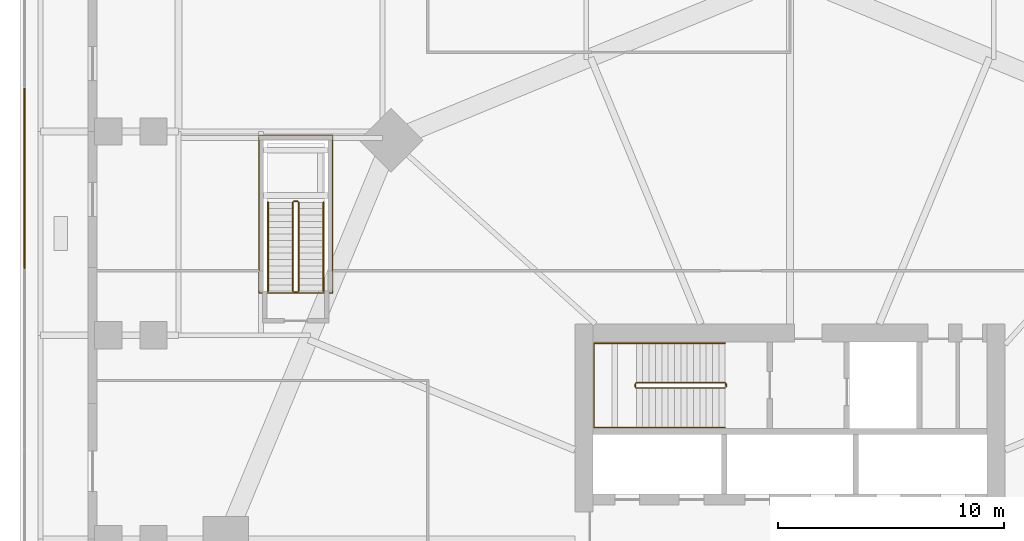
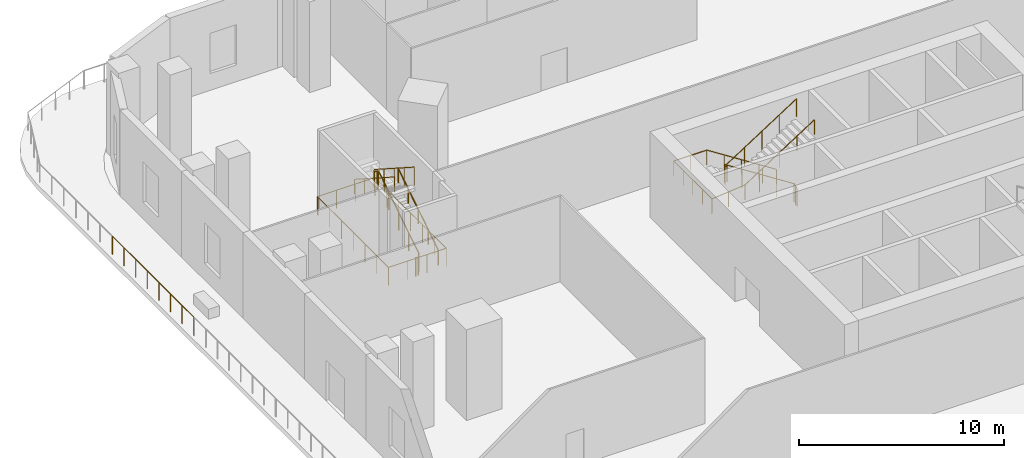
# One storey, part 14 of 19: 10 railings.
"""IFC4 building model written with IfcOpenShell, lengths in metres."""

from ifc_helpers import new_model, si_unit, direction, frame, origin, origin_2d, place, context, subcontext, project, spatial, circle, extrude, material, type_object, element, save


model = new_model("IFC4")

# Units and contexts
model_context = context("Model", 3, precision=1e-05, world=origin(), true_north=direction((0.0, 1.0)))
body_context = subcontext(model_context, "Body", "Model", "MODEL_VIEW")
ifc_project = project(units=[si_unit("LENGTHUNIT", "METRE"), si_unit("AREAUNIT", "SQUARE_METRE"), si_unit("VOLUMEUNIT", "CUBIC_METRE"), si_unit("PLANEANGLEUNIT", "RADIAN"), si_unit("MASSUNIT", "GRAM", prefix="KILO")], contexts=[model_context])

# Site, building, storey
site_placement = place(None, origin())
site = spatial("IfcSite", under=ifc_project, at=site_placement, CompositionType="ELEMENT")
building_placement = place(site_placement, origin())
building = spatial("IfcBuilding", under=site, at=building_placement, Name="Ogive Gate Towers", CompositionType="ELEMENT")
storey_placement = place(building_placement, frame((0.0, 0.0, 12.60009765625)))
storey = spatial("IfcBuildingStorey", under=building, at=storey_placement, Name="L02", CompositionType="ELEMENT", Elevation=12.60009765625)

# Railings
ifc_material_1 = material(Name="Stainless steel", Category="steel")
railing_type_1 = type_object("IfcRailingType", Name="Guard 1100", PredefinedType="GUARDRAIL", material=ifc_material_1)
railing_1_placement = place(storey_placement, frame((-69.800048828125, 19.897705078125, 0.0)))
element("IfcRailing", 1, at=railing_1_placement, inside=storey, type_object=railing_type_1, Name="Terrace guard", PredefinedType="GUARDRAIL", context=body_context, shape_type="SweptSolid", body=[
    extrude(circle(Radius=0.02392578125, at=origin_2d()), frame((0.0, 0.0, 1.076171875), z_axis=(0.0, -1.0, 0.0), x_axis=(1.0, 0.0, 0.0)), (0.0, 0.0, 1.0), 7.940185546875),
    extrude(circle(Radius=0.02099609375, at=origin_2d()), origin(), (0.0, 0.0, 1.0), 1.052001953125),
    extrude(circle(Radius=0.02099609375, at=origin_2d()), frame((0.0, -1.13427734375, 0.0)), (0.0, 0.0, 1.0), 1.052001953125),
    extrude(circle(Radius=0.02099609375, at=origin_2d()), frame((0.0, -2.2685546875, 0.0)), (0.0, 0.0, 1.0), 1.052001953125),
    extrude(circle(Radius=0.02099609375, at=origin_2d()), frame((0.0, -3.40283203125, 0.0)), (0.0, 0.0, 1.0), 1.052001953125),
    extrude(circle(Radius=0.02099609375, at=origin_2d()), frame((0.0, -4.537353515625, 0.0)), (0.0, 0.0, 1.0), 1.052001953125),
    extrude(circle(Radius=0.02099609375, at=origin_2d()), frame((0.0, -5.671630859375, 0.0)), (0.0, 0.0, 1.0), 1.052001953125),
    extrude(circle(Radius=0.02099609375, at=origin_2d()), frame((0.0, -6.805908203125, 0.0)), (0.0, 0.0, 1.0), 1.052001953125),
    extrude(circle(Radius=0.02099609375, at=origin_2d()), frame((0.0, -7.940185546875, 0.0)), (0.0, 0.0, 1.0), 1.052001953125),
])
ifc_material_2 = material(Name="Steel and glass guard", Category="steel")
railing_type_2 = type_object("IfcRailingType", Name="Podium stair guard 1100", PredefinedType="GUARDRAIL", material=ifc_material_2)
railing_2_placement = place(storey_placement, frame((-57.699951171875, 10.949951171875, 0.179931640625)))
element("IfcRailing", 2, at=railing_2_placement, inside=storey, type_object=railing_type_2, Name="L02 PS1 stair guard 1", PredefinedType="GUARDRAIL", context=body_context, shape_type="SweptSolid", body=[
    extrude(circle(Radius=0.02392578125, at=origin_2d()), frame((0.0, 0.0, 1.076171875), z_axis=(0.0, 0.841186985886, 0.540744352514), x_axis=(-1.0, 0.0, 0.0)), (0.0, 0.0, 1.0), 4.660400390625),
    extrude(circle(Radius=0.02099609375, at=origin_2d()), origin(), (0.0, 0.0, 1.0), 1.052001953125),
    extrude(circle(Radius=0.02099609375, at=origin_2d()), frame((0.0, 0.97998046875, 0.6298828125)), (0.0, 0.0, 1.0), 1.052001953125),
    extrude(circle(Radius=0.02099609375, at=origin_2d()), frame((0.0, 1.9599609375, 1.260009765625)), (0.0, 0.0, 1.0), 1.052001953125),
    extrude(circle(Radius=0.02099609375, at=origin_2d()), frame((0.0, 2.940185546875, 1.89013671875)), (0.0, 0.0, 1.0), 1.052001953125),
    extrude(circle(Radius=0.02099609375, at=origin_2d()), frame((0.0, 3.920166015625, 2.52001953125)), (0.0, 0.0, 1.0), 1.052001953125),
])
railing_3_placement = place(storey_placement, frame((-57.75, 14.919921875, 2.699951171875)))
element("IfcRailing", 3, at=railing_3_placement, inside=storey, type_object=railing_type_2, Name="L02 PS1 stair guard 2", PredefinedType="GUARDRAIL", context=body_context, shape_type="SweptSolid", body=[
    extrude(circle(Radius=0.02392578125, at=origin_2d()), frame((0.0, 0.0, 1.076171875), z_axis=(-1.0, 0.0, 0.0), x_axis=(0.0, -1.0, 0.0)), (0.0, 0.0, 1.0), 0.14990234375),
    extrude(circle(Radius=0.02099609375, at=origin_2d()), origin(), (0.0, 0.0, 1.0), 1.052001953125),
    extrude(circle(Radius=0.02099609375, at=origin_2d()), frame((-0.14990234375, 0.0, 0.0)), (0.0, 0.0, 1.0), 1.052001953125),
])
railing_4_placement = place(storey_placement, frame((-57.949951171875, 14.8701171875, 2.8798828125)))
element("IfcRailing", 4, at=railing_4_placement, inside=storey, type_object=railing_type_2, Name="L02 PS1 stair guard 3", PredefinedType="GUARDRAIL", context=body_context, shape_type="SweptSolid", body=[
    extrude(circle(Radius=0.02392578125, at=origin_2d()), frame((0.0, 0.0, 1.076171875), z_axis=(0.0, -0.841186985886, 0.540744352514), x_axis=(1.0, 0.0, 0.0)), (0.0, 0.0, 1.0), 4.660400390625),
    extrude(circle(Radius=0.02099609375, at=origin_2d()), origin(), (0.0, 0.0, 1.0), 1.052001953125),
    extrude(circle(Radius=0.02099609375, at=origin_2d()), frame((0.0, -0.97998046875, 0.6298828125)), (0.0, 0.0, 1.0), 1.052001953125),
    extrude(circle(Radius=0.02099609375, at=origin_2d()), frame((0.0, -1.9599609375, 1.260009765625)), (0.0, 0.0, 1.0), 1.052001953125),
    extrude(circle(Radius=0.02099609375, at=origin_2d()), frame((0.0, -2.940185546875, 1.89013671875)), (0.0, 0.0, 1.0), 1.052001953125),
    extrude(circle(Radius=0.02099609375, at=origin_2d()), frame((0.0, -3.920166015625, 2.52001953125)), (0.0, 0.0, 1.0), 1.052001953125),
])
railing_5_placement = place(storey_placement, frame((-57.75, 10.89990234375, 0.0)))
element("IfcRailing", 5, at=railing_5_placement, inside=storey, type_object=railing_type_2, Name="L02 PS1 stair guard 4", PredefinedType="GUARDRAIL", context=body_context, shape_type="SweptSolid", body=[
    extrude(circle(Radius=0.02392578125, at=origin_2d()), frame((0.0, 0.0, 1.076171875), z_axis=(-1.0, 0.0, 0.0), x_axis=(0.0, -1.0, 0.0)), (0.0, 0.0, 1.0), 0.14990234375),
    extrude(circle(Radius=0.02099609375, at=origin_2d()), origin(), (0.0, 0.0, 1.0), 1.052001953125),
    extrude(circle(Radius=0.02099609375, at=origin_2d()), frame((-0.14990234375, 0.0, 0.0)), (0.0, 0.0, 1.0), 1.052001953125),
])
ifc_material_3 = material(Name="Stainless steel handrail", Category="steel")
railing_type_3 = type_object("IfcRailingType", Name="Podium stair handrail 900", PredefinedType="HANDRAIL", material=ifc_material_3)
railing_6_placement = place(storey_placement, frame((-56.60009765625, 10.949951171875, 0.179931640625)))
element("IfcRailing", 6, at=railing_6_placement, inside=storey, type_object=railing_type_3, Name="L02 PS1 stair handrail 1", PredefinedType="HANDRAIL", context=body_context, shape_type="SweptSolid", body=[
    extrude(circle(Radius=0.02392578125, at=origin_2d()), frame((0.0, 0.0, 0.8759765625), z_axis=(0.0, 0.841186985886, 0.540744352514), x_axis=(-1.0, 0.0, 0.0)), (0.0, 0.0, 1.0), 4.660400390625),
    extrude(circle(Radius=0.02099609375, at=origin_2d()), origin(), (0.0, 0.0, 1.0), 0.851806640625),
    extrude(circle(Radius=0.02099609375, at=origin_2d()), frame((0.0, 0.97998046875, 0.6298828125)), (0.0, 0.0, 1.0), 0.851806640625),
    extrude(circle(Radius=0.02099609375, at=origin_2d()), frame((0.0, 1.9599609375, 1.260009765625)), (0.0, 0.0, 1.0), 0.851806640625),
    extrude(circle(Radius=0.02099609375, at=origin_2d()), frame((0.0, 2.940185546875, 1.89013671875)), (0.0, 0.0, 1.0), 0.851806640625),
    extrude(circle(Radius=0.02099609375, at=origin_2d()), frame((0.0, 3.920166015625, 2.52001953125)), (0.0, 0.0, 1.0), 0.851806640625),
])
railing_7_placement = place(storey_placement, frame((-59.050048828125, 14.8701171875, 2.8798828125)))
element("IfcRailing", 7, at=railing_7_placement, inside=storey, type_object=railing_type_3, Name="L02 PS1 stair handrail 2", PredefinedType="HANDRAIL", context=body_context, shape_type="SweptSolid", body=[
    extrude(circle(Radius=0.02392578125, at=origin_2d()), frame((0.0, 0.0, 0.8759765625), z_axis=(0.0, -0.841186985886, 0.540744352514), x_axis=(1.0, 0.0, 0.0)), (0.0, 0.0, 1.0), 4.660400390625),
    extrude(circle(Radius=0.02099609375, at=origin_2d()), origin(), (0.0, 0.0, 1.0), 0.851806640625),
    extrude(circle(Radius=0.02099609375, at=origin_2d()), frame((0.0, -0.97998046875, 0.6298828125)), (0.0, 0.0, 1.0), 0.851806640625),
    extrude(circle(Radius=0.02099609375, at=origin_2d()), frame((0.0, -1.9599609375, 1.260009765625)), (0.0, 0.0, 1.0), 0.851806640625),
    extrude(circle(Radius=0.02099609375, at=origin_2d()), frame((0.0, -2.940185546875, 1.89013671875)), (0.0, 0.0, 1.0), 0.851806640625),
    extrude(circle(Radius=0.02099609375, at=origin_2d()), frame((0.0, -3.920166015625, 2.52001953125)), (0.0, 0.0, 1.0), 0.851806640625),
])
railing_type_4 = type_object("IfcRailingType", Name="Stair guard 1100", PredefinedType="GUARDRAIL", material=ifc_material_1)
railing_8_placement = place(storey_placement, frame((-38.81494140625, 6.860107421875, 0.0)))
element("IfcRailing", 8, at=railing_8_placement, inside=storey, type_object=railing_type_4, Name="L02 ST1 stair guard 1", PredefinedType="GUARDRAIL", context=body_context, shape_type="SweptSolid", body=[
    extrude(circle(Radius=0.02392578125, at=origin_2d()), frame((0.0, 0.0, 1.076171875), z_axis=(0.0, -1.0, 0.0), x_axis=(1.0, 0.0, 0.0)), (0.0, 0.0, 1.0), 0.14501953125),
    extrude(circle(Radius=0.02392578125, at=origin_2d()), frame((0.0, -0.14501953125, 1.076171875), z_axis=(-0.185446488196, 0.721884378442, 0.666702740491), x_axis=(-0.968551454522, -0.24881334358, 0.0)), (0.0, 0.0, 1.0), 0.269775390625),
    extrude(circle(Radius=0.02392578125, at=origin_2d()), frame((-0.050048828125, 0.0498046875, 1.255859375), z_axis=(-0.841171666519, 0.0, 0.540768182723), x_axis=(0.0, -1.0, 0.0)), (0.0, 0.0, 1.0), 4.66015625),
    extrude(circle(Radius=0.02392578125, at=origin_2d()), frame((-3.969970703125, 0.0498046875, 3.77587890625), z_axis=(-0.708833529934, -0.705375805398, 0.0), x_axis=(0.705375805398, -0.708833529934, 0.0)), (0.0, 0.0, 1.0), 0.070556640625),
    extrude(circle(Radius=0.02392578125, at=origin_2d()), frame((-4.02001953125, 0.0, 3.77587890625), z_axis=(0.0, -1.0, 0.0), x_axis=(1.0, 0.0, 0.0)), (0.0, 0.0, 1.0), 0.14501953125),
    extrude(circle(Radius=0.02392578125, at=origin_2d()), frame((-4.02001953125, -0.14501953125, 3.77587890625), z_axis=(0.258847668887, -0.258847668887, 0.930588936439), x_axis=(0.707106781187, 0.707106781187, 0.0)), (0.0, 0.0, 1.0), 0.193359375),
    extrude(circle(Radius=0.02392578125, at=origin_2d()), frame((-3.969970703125, -0.195068359375, 3.9560546875), z_axis=(0.841171666519, 0.0, 0.540768182723), x_axis=(0.0, 1.0, 0.0)), (0.0, 0.0, 1.0), 4.66015625),
    extrude(circle(Radius=0.02099609375, at=origin_2d()), origin(), (0.0, 0.0, 1.0), 1.052001953125),
    extrude(circle(Radius=0.02099609375, at=origin_2d()), frame((0.0, -0.14501953125, 0.0)), (0.0, 0.0, 1.0), 1.052001953125),
    extrude(circle(Radius=0.02099609375, at=origin_2d()), frame((-0.050048828125, 0.0498046875, 0.179931640625)), (0.0, 0.0, 1.0), 1.052001953125),
    extrude(circle(Radius=0.02099609375, at=origin_2d()), frame((-1.030029296875, 0.0498046875, 0.81005859375)), (0.0, 0.0, 1.0), 1.052001953125),
    extrude(circle(Radius=0.02099609375, at=origin_2d()), frame((-2.010009765625, 0.0498046875, 1.43994140625)), (0.0, 0.0, 1.0), 1.052001953125),
    extrude(circle(Radius=0.02099609375, at=origin_2d()), frame((-2.989990234375, 0.0498046875, 2.06982421875)), (0.0, 0.0, 1.0), 1.052001953125),
    extrude(circle(Radius=0.02099609375, at=origin_2d()), frame((-3.969970703125, 0.0498046875, 2.699951171875)), (0.0, 0.0, 1.0), 1.052001953125),
    extrude(circle(Radius=0.02099609375, at=origin_2d()), frame((-4.02001953125, 0.0, 2.699951171875)), (0.0, 0.0, 1.0), 1.052001953125),
    extrude(circle(Radius=0.02099609375, at=origin_2d()), frame((-4.02001953125, -0.14501953125, 2.699951171875)), (0.0, 0.0, 1.0), 1.052001953125),
    extrude(circle(Radius=0.02099609375, at=origin_2d()), frame((-3.969970703125, -0.195068359375, 2.8798828125)), (0.0, 0.0, 1.0), 1.052001953125),
    extrude(circle(Radius=0.02099609375, at=origin_2d()), frame((-2.989990234375, -0.195068359375, 3.509765625)), (0.0, 0.0, 1.0), 1.052001953125),
    extrude(circle(Radius=0.02099609375, at=origin_2d()), frame((-2.010009765625, -0.195068359375, 4.139892578125)), (0.0, 0.0, 1.0), 1.052001953125),
    extrude(circle(Radius=0.02099609375, at=origin_2d()), frame((-1.030029296875, -0.195068359375, 4.77001953125)), (0.0, 0.0, 1.0), 1.052001953125),
    extrude(circle(Radius=0.02099609375, at=origin_2d()), frame((-0.050048828125, -0.195068359375, 5.39990234375)), (0.0, 0.0, 1.0), 1.052001953125),
])
railing_type_5 = type_object("IfcRailingType", Name="Stair handrail 900", PredefinedType="HANDRAIL", material=ifc_material_1)
railing_9_placement = place(storey_placement, frame((-38.864990234375, 8.64990234375, 0.179931640625)))
element("IfcRailing", 9, at=railing_9_placement, inside=storey, type_object=railing_type_5, Name="L02 ST1 stair handrail 1", PredefinedType="HANDRAIL", context=body_context, shape_type="SweptSolid", body=[
    extrude(circle(Radius=0.02392578125, at=origin_2d()), frame((0.0, 0.0, 0.8759765625), z_axis=(-0.841171666519, 0.0, 0.540768182723), x_axis=(0.0, -1.0, 0.0)), (0.0, 0.0, 1.0), 4.66015625),
    extrude(circle(Radius=0.02392578125, at=origin_2d()), frame((-3.919921875, 0.0, 3.39599609375), z_axis=(-1.0, 0.0, 0.0), x_axis=(0.0, -1.0, 0.0)), (0.0, 0.0, 1.0), 1.864990234375),
    extrude(circle(Radius=0.02392578125, at=origin_2d()), frame((-5.784912109375, 0.0, 3.39599609375), z_axis=(0.0, -1.0, 0.0), x_axis=(1.0, 0.0, 0.0)), (0.0, 0.0, 1.0), 3.724853515625),
    extrude(circle(Radius=0.02392578125, at=origin_2d()), frame((-5.784912109375, -3.724853515625, 3.39599609375), z_axis=(0.995378180616, 0.0, 0.096032690027), x_axis=(0.0, 1.0, 0.0)), (0.0, 0.0, 1.0), 1.87353515625),
    extrude(circle(Radius=0.02392578125, at=origin_2d()), frame((-3.919921875, -3.724853515625, 3.57568359375), z_axis=(0.841171666519, 0.0, 0.540768182723), x_axis=(0.0, 1.0, 0.0)), (0.0, 0.0, 1.0), 4.66015625),
    extrude(circle(Radius=0.02099609375, at=origin_2d()), origin(), (0.0, 0.0, 1.0), 0.851806640625),
    extrude(circle(Radius=0.02099609375, at=origin_2d()), frame((-0.97998046875, 0.0, 0.6298828125)), (0.0, 0.0, 1.0), 0.851806640625),
    extrude(circle(Radius=0.02099609375, at=origin_2d()), frame((-1.9599609375, 0.0, 1.260009765625)), (0.0, 0.0, 1.0), 0.851806640625),
    extrude(circle(Radius=0.02099609375, at=origin_2d()), frame((-2.93994140625, 0.0, 1.89013671875)), (0.0, 0.0, 1.0), 0.851806640625),
    extrude(circle(Radius=0.02099609375, at=origin_2d()), frame((-3.919921875, 0.0, 2.52001953125)), (0.0, 0.0, 1.0), 0.851806640625),
    extrude(circle(Radius=0.02099609375, at=origin_2d()), frame((-4.8525390625, 0.0, 2.52001953125)), (0.0, 0.0, 1.0), 0.851806640625),
    extrude(circle(Radius=0.02099609375, at=origin_2d()), frame((-5.784912109375, 0.0, 2.52001953125)), (0.0, 0.0, 1.0), 0.851806640625),
    extrude(circle(Radius=0.02099609375, at=origin_2d()), frame((-5.784912109375, -0.93115234375, 2.52001953125)), (0.0, 0.0, 1.0), 0.851806640625),
    extrude(circle(Radius=0.02099609375, at=origin_2d()), frame((-5.784912109375, -1.8623046875, 2.52001953125)), (0.0, 0.0, 1.0), 0.851806640625),
    extrude(circle(Radius=0.02099609375, at=origin_2d()), frame((-5.784912109375, -2.793701171875, 2.52001953125)), (0.0, 0.0, 1.0), 0.851806640625),
    extrude(circle(Radius=0.02099609375, at=origin_2d()), frame((-5.784912109375, -3.724853515625, 2.52001953125)), (0.0, 0.0, 1.0), 0.851806640625),
    extrude(circle(Radius=0.02099609375, at=origin_2d()), frame((-4.8525390625, -3.724853515625, 2.60986328125)), (0.0, 0.0, 1.0), 0.851806640625),
    extrude(circle(Radius=0.02099609375, at=origin_2d()), frame((-3.919921875, -3.724853515625, 2.699951171875)), (0.0, 0.0, 1.0), 0.851806640625),
    extrude(circle(Radius=0.02099609375, at=origin_2d()), frame((-2.93994140625, -3.724853515625, 3.330078125)), (0.0, 0.0, 1.0), 0.851806640625),
    extrude(circle(Radius=0.02099609375, at=origin_2d()), frame((-1.9599609375, -3.724853515625, 3.9599609375)), (0.0, 0.0, 1.0), 0.851806640625),
    extrude(circle(Radius=0.02099609375, at=origin_2d()), frame((-0.97998046875, -3.724853515625, 4.58984375)), (0.0, 0.0, 1.0), 0.851806640625),
    extrude(circle(Radius=0.02099609375, at=origin_2d()), frame((0.0, -3.724853515625, 5.219970703125)), (0.0, 0.0, 1.0), 0.851806640625),
])
railing_type_6 = type_object("IfcRailingType", Name="Void guard 1100", PredefinedType="GUARDRAIL", material=ifc_material_2)
railing_10_placement = place(storey_placement, frame((-59.449951171875, 17.820068359375, 0.0)))
element("IfcRailing", 10, at=railing_10_placement, inside=storey, type_object=railing_type_6, Name="L02 nave guard", PredefinedType="GUARDRAIL", context=body_context, shape_type="SweptSolid", body=[
    extrude(circle(Radius=0.02392578125, at=origin_2d()), frame((0.0, 0.0, 1.076171875), z_axis=(1.0, 0.0, 0.0), x_axis=(0.0, 1.0, 0.0)), (0.0, 0.0, 1.0), 3.25),
    extrude(circle(Radius=0.02392578125, at=origin_2d()), frame((3.25, 0.0, 1.076171875), z_axis=(0.0, -1.0, 0.0), x_axis=(1.0, 0.0, 0.0)), (0.0, 0.0, 1.0), 6.955078125),
    extrude(circle(Radius=0.02392578125, at=origin_2d()), frame((3.25, -6.955078125, 1.076171875), z_axis=(-1.0, 0.0, 0.0), x_axis=(0.0, -1.0, 0.0)), (0.0, 0.0, 1.0), 3.25),
    extrude(circle(Radius=0.02392578125, at=origin_2d()), frame((0.0, -6.955078125, 1.076171875), z_axis=(0.0, 1.0, 0.0), x_axis=(-1.0, 0.0, 0.0)), (0.0, 0.0, 1.0), 6.885009765625),
    extrude(circle(Radius=0.02099609375, at=origin_2d()), origin(), (0.0, 0.0, 1.0), 1.052001953125),
    extrude(circle(Radius=0.02099609375, at=origin_2d()), frame((1.083251953125, 0.0, 0.0)), (0.0, 0.0, 1.0), 1.052001953125),
    extrude(circle(Radius=0.02099609375, at=origin_2d()), frame((2.166748046875, 0.0, 0.0)), (0.0, 0.0, 1.0), 1.052001953125),
    extrude(circle(Radius=0.02099609375, at=origin_2d()), frame((3.25, 0.0, 0.0)), (0.0, 0.0, 1.0), 1.052001953125),
    extrude(circle(Radius=0.02099609375, at=origin_2d()), frame((3.25, -1.1591796875, 0.0)), (0.0, 0.0, 1.0), 1.052001953125),
    extrude(circle(Radius=0.02099609375, at=origin_2d()), frame((3.25, -2.318359375, 0.0)), (0.0, 0.0, 1.0), 1.052001953125),
    extrude(circle(Radius=0.02099609375, at=origin_2d()), frame((3.25, -3.4775390625, 0.0)), (0.0, 0.0, 1.0), 1.052001953125),
    extrude(circle(Radius=0.02099609375, at=origin_2d()), frame((3.25, -4.63671875, 0.0)), (0.0, 0.0, 1.0), 1.052001953125),
    extrude(circle(Radius=0.02099609375, at=origin_2d()), frame((3.25, -5.7958984375, 0.0)), (0.0, 0.0, 1.0), 1.052001953125),
    extrude(circle(Radius=0.02099609375, at=origin_2d()), frame((3.25, -6.955078125, 0.0)), (0.0, 0.0, 1.0), 1.052001953125),
    extrude(circle(Radius=0.02099609375, at=origin_2d()), frame((2.166748046875, -6.955078125, 0.0)), (0.0, 0.0, 1.0), 1.052001953125),
    extrude(circle(Radius=0.02099609375, at=origin_2d()), frame((1.083251953125, -6.955078125, 0.0)), (0.0, 0.0, 1.0), 1.052001953125),
    extrude(circle(Radius=0.02099609375, at=origin_2d()), frame((0.0, -6.955078125, 0.0)), (0.0, 0.0, 1.0), 1.052001953125),
    extrude(circle(Radius=0.02099609375, at=origin_2d()), frame((0.0, -5.8076171875, 0.0)), (0.0, 0.0, 1.0), 1.052001953125),
    extrude(circle(Radius=0.02099609375, at=origin_2d()), frame((0.0, -4.66015625, 0.0)), (0.0, 0.0, 1.0), 1.052001953125),
    extrude(circle(Radius=0.02099609375, at=origin_2d()), frame((0.0, -3.5126953125, 0.0)), (0.0, 0.0, 1.0), 1.052001953125),
    extrude(circle(Radius=0.02099609375, at=origin_2d()), frame((0.0, -2.364990234375, 0.0)), (0.0, 0.0, 1.0), 1.052001953125),
    extrude(circle(Radius=0.02099609375, at=origin_2d()), frame((0.0, -1.217529296875, 0.0)), (0.0, 0.0, 1.0), 1.052001953125),
    extrude(circle(Radius=0.02099609375, at=origin_2d()), frame((0.0, -0.070068359375, 0.0)), (0.0, 0.0, 1.0), 1.052001953125),
])

save(model, "model.ifc")
